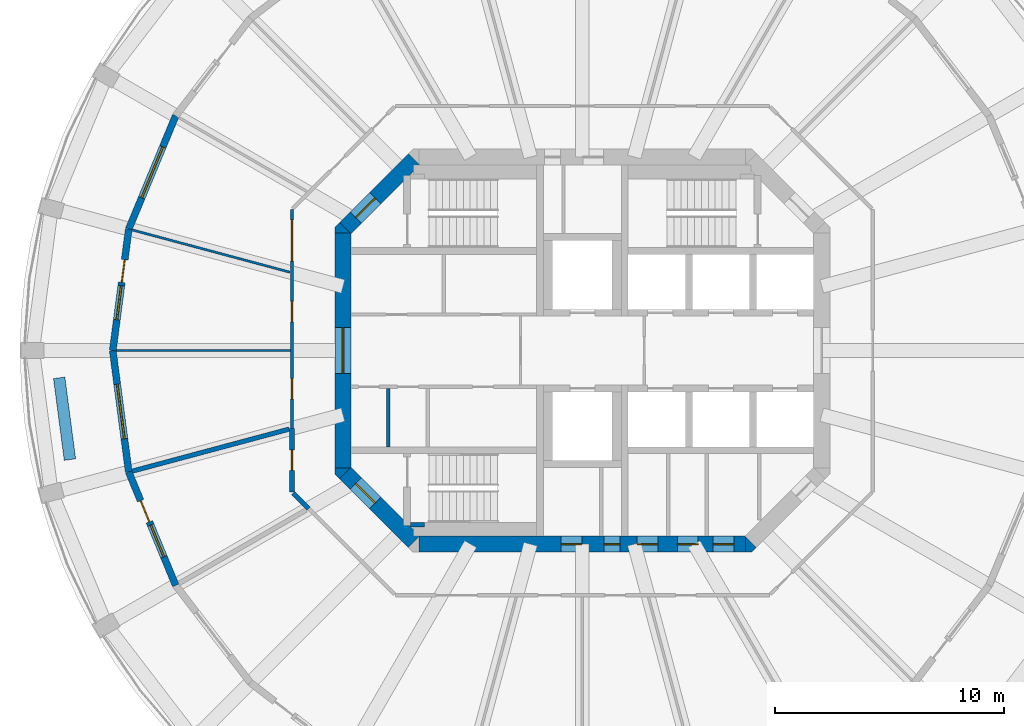
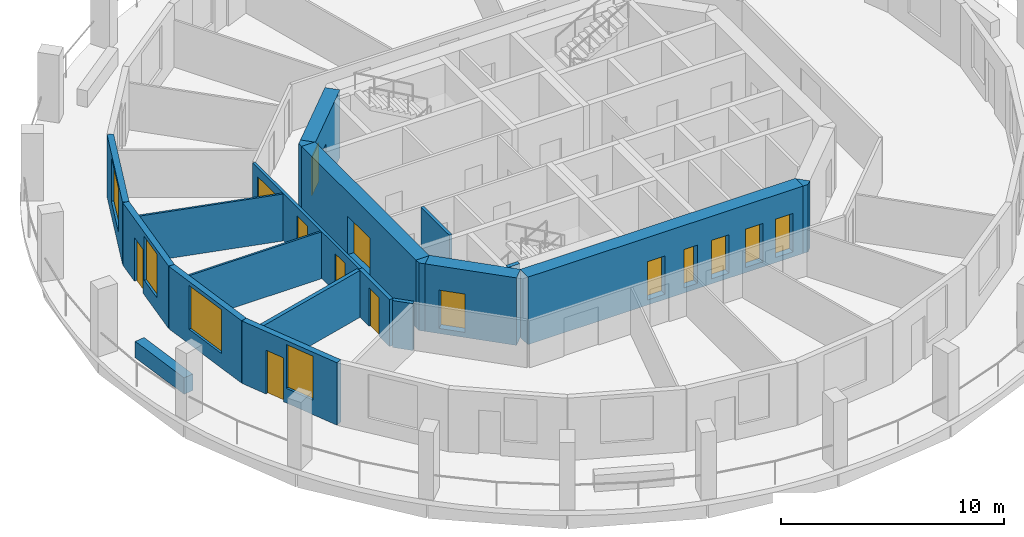
# One storey, part 3 of 9: 20 walls, 14 doors, 4 windows, 18 openings.
"""IFC4 building model written with IfcOpenShell, lengths in metres."""

from ifc_helpers import new_model, si_unit, direction, frame, frame_2d, origin, place, context, subcontext, project, spatial, polyline, rectangle, outline, extrude, material, layer, layer_set, type_object, element, fill, save


model = new_model("IFC4")

# Units and contexts
model_context = context("Model", 3, precision=1e-05, world=origin(), true_north=direction((0.0, 1.0)))
body_context = subcontext(model_context, "Body", "Model", "MODEL_VIEW")
ifc_project = project(units=[si_unit("LENGTHUNIT", "METRE"), si_unit("AREAUNIT", "SQUARE_METRE"), si_unit("VOLUMEUNIT", "CUBIC_METRE"), si_unit("PLANEANGLEUNIT", "RADIAN"), si_unit("MASSUNIT", "GRAM", prefix="KILO")], contexts=[model_context])

# Site, building, storey
site_placement = place(None, origin())
site = spatial("IfcSite", under=ifc_project, at=site_placement, CompositionType="ELEMENT")
building_placement = place(site_placement, origin())
building = spatial("IfcBuilding", under=site, at=building_placement, Name="Torre Triforio", CompositionType="ELEMENT")
storey_placement = place(building_placement, frame((0.0, 0.0, 244.60009765625)))
storey = spatial("IfcBuildingStorey", under=building, at=storey_placement, Name="L56", CompositionType="ELEMENT", Elevation=244.60009765625)

# Wall, openings, doors
ifc_material_1 = material(Name="Concrete C50", Category="concrete")
ifc_layer_1 = layer(ifc_material_1, 0.699951171875)
ifc_layer_set_1 = layer_set([ifc_layer_1], Name="Concrete C50")
wall_type_1 = type_object("IfcWallType", Name="Core wall 700 mm C50 EI 120", PredefinedType="SHEAR", material=ifc_layer_set_1)
wall_1_placement = place(storey_placement, frame((-7.1298828125, -8.449951171875, -0.280029296875), z_axis=(0.0, 0.0, 1.0), x_axis=(1.0, 0.0, 0.0)))
wall_1 = element("IfcWall", 1, at=wall_1_placement, inside=storey, type_object=wall_type_1, Name="Core wall", PredefinedType="SHEAR", context=body_context, shape_type="SweptSolid", body=[
    extrude(rectangle(XDim=14.259765625, YDim=0.699951171875, at=frame_2d((7.1298828125, 0.0))), origin(), (0.0, 0.0, 1.0), 3.699951171875),
])
opening_1_placement = place(wall_1_placement, frame((8.080078125, 0.0, 0.280029296875)))
opening_1 = element("IfcOpeningElement", 2, at=opening_1_placement, cuts=wall_1, Name="Opening RISER-S", PredefinedType="OPENING", context=body_context, shape_type="SweptSolid", body=[
    extrude(rectangle(XDim=0.699951171875, YDim=2.10009765625, at=frame_2d((0.35009765625, 1.050048828125))), frame((0.0, 0.35986328125, 0.0), z_axis=(0.0, -1.0, 0.0), x_axis=(1.0, 0.0, 0.0)), (0.0, 0.0, 1.0), 0.719970703125),
])
opening_2_placement = place(wall_1_placement, frame((6.205078125, 0.0, 0.280029296875)))
opening_2 = element("IfcOpeningElement", 3, at=opening_2_placement, cuts=wall_1, Name="Opening SW-01B", PredefinedType="OPENING", context=body_context, shape_type="SweptSolid", body=[
    extrude(rectangle(XDim=0.89990234375, YDim=2.10009765625, at=frame_2d((0.449951171875, 1.050048828125))), frame((0.0, 0.35986328125, 0.0), z_axis=(0.0, -1.0, 0.0), x_axis=(1.0, 0.0, 0.0)), (0.0, 0.0, 1.0), 0.719970703125),
])
opening_3_placement = place(wall_1_placement, frame((9.521484375, 0.0, 0.280029296875)))
opening_3 = element("IfcOpeningElement", 4, at=opening_3_placement, cuts=wall_1, Name="Opening SE-01", PredefinedType="OPENING", context=body_context, shape_type="SweptSolid", body=[
    extrude(rectangle(XDim=0.89990234375, YDim=2.10009765625, at=frame_2d((0.449951171875, 1.050048828125))), frame((0.0, 0.35986328125, 0.0), z_axis=(0.0, -1.0, 0.0), x_axis=(1.0, 0.0, 0.0)), (0.0, 0.0, 1.0), 0.719970703125),
])
opening_4_placement = place(wall_1_placement, frame((11.278076171875, 0.0, 0.280029296875)))
opening_4 = element("IfcOpeningElement", 5, at=opening_4_placement, cuts=wall_1, Name="Opening SE-02", PredefinedType="OPENING", context=body_context, shape_type="SweptSolid", body=[
    extrude(rectangle(XDim=0.89990234375, YDim=2.10009765625, at=frame_2d((0.449951171875, 1.050048828125))), frame((0.0, 0.35986328125, 0.0), z_axis=(0.0, -1.0, 0.0), x_axis=(1.0, 0.0, 0.0)), (0.0, 0.0, 1.0), 0.719970703125),
])
opening_5_placement = place(wall_1_placement, frame((12.840087890625, 0.0, 0.280029296875)))
opening_5 = element("IfcOpeningElement", 6, at=opening_5_placement, cuts=wall_1, Name="Opening SE-03", PredefinedType="OPENING", context=body_context, shape_type="SweptSolid", body=[
    extrude(rectangle(XDim=0.89990234375, YDim=2.10009765625, at=frame_2d((0.449951171875, 1.050048828125))), frame((0.0, 0.35986328125, 0.0), z_axis=(0.0, -1.0, 0.0), x_axis=(1.0, 0.0, 0.0)), (0.0, 0.0, 1.0), 0.719970703125),
])
ifc_material_2 = material(Name="Hollow metal fire door leaf")
door_type_1 = type_object("IfcDoorType", Name="Plant room door 900 x 2100 EI 60", OperationType="NOTDEFINED", PredefinedType="DOOR", material=ifc_material_2)
door_1_placement = place(opening_3_placement, origin())
door_1 = element("IfcDoor", 7, at=door_1_placement, inside=storey, type_object=door_type_1, Name="Core door SE-01", OperationType="SINGLE_SWING_LEFT", OverallHeight=2.10009765625, OverallWidth=0.89990234375, PredefinedType="DOOR", context=body_context, shape_type="SweptSolid", body=[
    extrude(rectangle(XDim=0.89990234375, YDim=2.10009765625, at=frame_2d((0.449951171875, 1.050048828125))), frame((0.0, 0.02490234375, 0.0), z_axis=(0.0, -1.0, 0.0), x_axis=(1.0, 0.0, 0.0)), (0.0, 0.0, 1.0), 0.050048828125),
])
fill(opening_3, door_1)
door_type_2 = type_object("IfcDoorType", Name="Riser door 700 x 2100 EI 60", OperationType="NOTDEFINED", PredefinedType="DOOR", material=ifc_material_2)
door_2_placement = place(opening_1_placement, origin())
door_2 = element("IfcDoor", 8, at=door_2_placement, inside=storey, type_object=door_type_2, Name="Core door RISER-S", OperationType="SINGLE_SWING_RIGHT", OverallHeight=2.10009765625, OverallWidth=0.699951171875, PredefinedType="DOOR", context=body_context, shape_type="SweptSolid", body=[
    extrude(rectangle(XDim=0.699951171875, YDim=2.10009765625, at=frame_2d((0.35009765625, 1.050048828125))), frame((0.0, 0.02490234375, 0.0), z_axis=(0.0, -1.0, 0.0), x_axis=(1.0, 0.0, 0.0)), (0.0, 0.0, 1.0), 0.050048828125),
])
fill(opening_1, door_2)
door_type_3 = type_object("IfcDoorType", Name="Room door 900 x 2100 EI 60", OperationType="NOTDEFINED", PredefinedType="DOOR", material=ifc_material_2)
door_3_placement = place(opening_2_placement, origin())
door_3 = element("IfcDoor", 9, at=door_3_placement, inside=storey, type_object=door_type_3, Name="Core door SW-01", OperationType="SINGLE_SWING_LEFT", OverallHeight=2.10009765625, OverallWidth=0.89990234375, PredefinedType="DOOR", context=body_context, shape_type="SweptSolid", body=[
    extrude(rectangle(XDim=0.89990234375, YDim=2.10009765625, at=frame_2d((0.449951171875, 1.050048828125))), frame((0.0, 0.02490234375, 0.0), z_axis=(0.0, -1.0, 0.0), x_axis=(1.0, 0.0, 0.0)), (0.0, 0.0, 1.0), 0.050048828125),
])
fill(opening_2, door_3)
door_4_placement = place(opening_4_placement, origin())
door_4 = element("IfcDoor", 10, at=door_4_placement, inside=storey, type_object=door_type_3, Name="Core door SE-02", OperationType="SINGLE_SWING_LEFT", OverallHeight=2.10009765625, OverallWidth=0.89990234375, PredefinedType="DOOR", context=body_context, shape_type="SweptSolid", body=[
    extrude(rectangle(XDim=0.89990234375, YDim=2.10009765625, at=frame_2d((0.449951171875, 1.050048828125))), frame((0.0, 0.02490234375, 0.0), z_axis=(0.0, -1.0, 0.0), x_axis=(1.0, 0.0, 0.0)), (0.0, 0.0, 1.0), 0.050048828125),
])
fill(opening_4, door_4)
door_5_placement = place(opening_5_placement, origin())
door_5 = element("IfcDoor", 11, at=door_5_placement, inside=storey, type_object=door_type_3, Name="Core door SE-03", OperationType="SINGLE_SWING_LEFT", OverallHeight=2.10009765625, OverallWidth=0.89990234375, PredefinedType="DOOR", context=body_context, shape_type="SweptSolid", body=[
    extrude(rectangle(XDim=0.89990234375, YDim=2.10009765625, at=frame_2d((0.449951171875, 1.050048828125))), frame((0.0, 0.02490234375, 0.0), z_axis=(0.0, -1.0, 0.0), x_axis=(1.0, 0.0, 0.0)), (0.0, 0.0, 1.0), 0.050048828125),
])
fill(opening_5, door_5)

# Wall, opening, door
wall_2_placement = place(storey_placement, frame((-10.449951171875, -5.1298828125, -0.280029296875), z_axis=(0.0, 0.0, 1.0), x_axis=(0.0, 1.0, 0.0)))
wall_2 = element("IfcWall", 12, at=wall_2_placement, inside=storey, type_object=wall_type_1, Name="Core wall", PredefinedType="SHEAR", context=body_context, shape_type="SweptSolid", body=[
    extrude(rectangle(XDim=10.259765625, YDim=0.699951171875, at=frame_2d((5.1298828125, 0.0))), origin(), (0.0, 0.0, 1.0), 3.699951171875),
])
opening_6_placement = place(wall_2_placement, frame((4.1298828125, 0.0, 0.280029296875)))
opening_6 = element("IfcOpeningElement", 13, at=opening_6_placement, cuts=wall_2, Name="Opening W-RING", PredefinedType="OPENING", context=body_context, shape_type="SweptSolid", body=[
    extrude(rectangle(XDim=2.0, YDim=2.10009765625, at=frame_2d((1.0, 1.050048828125))), frame((0.0, 0.35986328125, 0.0), z_axis=(0.0, -1.0, 0.0), x_axis=(1.0, 0.0, 0.0)), (0.0, 0.0, 1.0), 0.719970703125),
])
door_type_4 = type_object("IfcDoorType", Name="Lobby door 2000 x 2100 EI 60", OperationType="DOUBLE_DOOR_SINGLE_SWING", PredefinedType="DOOR", material=ifc_material_2)
door_6_placement = place(opening_6_placement, origin())
door_6 = element("IfcDoor", 14, at=door_6_placement, inside=storey, type_object=door_type_4, Name="Core door W-RING", OperationType="DOUBLE_DOOR_SINGLE_SWING", OverallHeight=2.10009765625, OverallWidth=2.0, PredefinedType="DOOR", context=body_context, shape_type="SweptSolid", body=[
    extrude(rectangle(XDim=2.0, YDim=2.10009765625, at=frame_2d((1.0, 1.050048828125))), frame((0.0, 0.02490234375, 0.0), z_axis=(0.0, -1.0, 0.0), x_axis=(1.0, 0.0, 0.0)), (0.0, 0.0, 1.0), 0.050048828125),
])
fill(opening_6, door_6)

wall_3_placement = place(storey_placement, frame((-10.347412109375, 5.347412109375, -0.280029296875), z_axis=(0.0, 0.0, 1.0), x_axis=(0.707106781187, 0.707106781187, 0.0)))
wall_3 = element("IfcWall", 15, at=wall_3_placement, inside=storey, type_object=wall_type_1, Name="Core wall", PredefinedType="SHEAR", context=body_context, shape_type="SweptSolid", body=[
    extrude(rectangle(XDim=4.24267578125, YDim=0.699951171875, at=frame_2d((2.121337890625, 0.0))), origin(), (0.0, 0.0, 1.0), 3.699951171875),
])
opening_7_placement = place(wall_3_placement, frame((0.64990234375, 0.0, 0.280029296875)))
opening_7 = element("IfcOpeningElement", 16, at=opening_7_placement, cuts=wall_3, Name="Opening ST1-EXIT", PredefinedType="OPENING", context=body_context, shape_type="SweptSolid", body=[
    extrude(rectangle(XDim=1.199951171875, YDim=2.10009765625, at=frame_2d((0.60009765625, 1.050048828125))), frame((0.0, 0.35986328125, 0.0), z_axis=(0.0, -1.0, 0.0), x_axis=(1.0, 0.0, 0.0)), (0.0, 0.0, 1.0), 0.719970703125),
])
door_type_5 = type_object("IfcDoorType", Name="Stair lobby door 1200 x 2100 EI 60", OperationType="NOTDEFINED", PredefinedType="DOOR", material=ifc_material_2)
door_7_placement = place(opening_7_placement, origin())
door_7 = element("IfcDoor", 17, at=door_7_placement, inside=storey, type_object=door_type_5, Name="Core door ST1-EXIT", OperationType="SINGLE_SWING_RIGHT", OverallHeight=2.10009765625, OverallWidth=1.199951171875, PredefinedType="DOOR", context=body_context, shape_type="SweptSolid", body=[
    extrude(rectangle(XDim=1.199951171875, YDim=2.10009765625, at=frame_2d((0.60009765625, 1.050048828125))), frame((0.0, 0.02490234375, 0.0), z_axis=(0.0, -1.0, 0.0), x_axis=(1.0, 0.0, 0.0)), (0.0, 0.0, 1.0), 0.050048828125),
])
fill(opening_7, door_7)

wall_4_placement = place(storey_placement, frame((-7.347412109375, -8.347412109375, -0.280029296875), z_axis=(0.0, 0.0, 1.0), x_axis=(-0.707106781187, 0.707106781187, 0.0)))
wall_4 = element("IfcWall", 18, at=wall_4_placement, inside=storey, type_object=wall_type_1, Name="Core wall", PredefinedType="SHEAR", context=body_context, shape_type="SweptSolid", body=[
    extrude(rectangle(XDim=4.24267578125, YDim=0.699951171875, at=frame_2d((2.121337890625, 0.0))), origin(), (0.0, 0.0, 1.0), 3.699951171875),
])
opening_8_placement = place(wall_4_placement, frame((2.392578125, 0.0, 0.280029296875)))
opening_8 = element("IfcOpeningElement", 19, at=opening_8_placement, cuts=wall_4, Name="Opening ST3-EXIT", PredefinedType="OPENING", context=body_context, shape_type="SweptSolid", body=[
    extrude(rectangle(XDim=1.199951171875, YDim=2.10009765625, at=frame_2d((0.60009765625, 1.050048828125))), frame((0.0, 0.35986328125, 0.0), z_axis=(0.0, -1.0, 0.0), x_axis=(1.0, 0.0, 0.0)), (0.0, 0.0, 1.0), 0.719970703125),
])
door_8_placement = place(opening_8_placement, origin())
door_8 = element("IfcDoor", 20, at=door_8_placement, inside=storey, type_object=door_type_5, Name="Core door ST3-EXIT", OperationType="SINGLE_SWING_RIGHT", OverallHeight=2.10009765625, OverallWidth=1.199951171875, PredefinedType="DOOR", context=body_context, shape_type="SweptSolid", body=[
    extrude(rectangle(XDim=1.199951171875, YDim=2.10009765625, at=frame_2d((0.60009765625, 1.050048828125))), frame((0.0, 0.02490234375, 0.0), z_axis=(0.0, -1.0, 0.0), x_axis=(1.0, 0.0, 0.0)), (0.0, 0.0, 1.0), 0.050048828125),
])
fill(opening_8, door_8)

# Walls
wall_5_placement = place(storey_placement, frame((0.0, 0.0, -0.280029296875)))
element("IfcWall", 21, at=wall_5_placement, inside=storey, type_object=wall_type_1, Name="Core wall", PredefinedType="SHEAR", context=body_context, shape_type="SweptSolid", body=[
    extrude(outline(polyline([(7.389892578125, -8.800048828125), (7.1298828125, -8.800048828125), (7.1298828125, -8.800048828125), (7.1298828125, -8.1298828125), (7.594970703125, -8.594970703125), (7.594970703125, -8.594970703125), (7.594970703125, -8.594970703125), (7.389892578125, -8.800048828125)])), origin(), (0.0, 0.0, 1.0), 3.699951171875),
])
wall_6_placement = place(storey_placement, frame((0.0, 0.0, -0.280029296875)))
element("IfcWall", 22, at=wall_6_placement, inside=storey, type_object=wall_type_1, Name="Core wall", PredefinedType="SHEAR", context=body_context, shape_type="SweptSolid", body=[
    extrude(outline(polyline([(-10.800048828125, -5.389892578125), (-10.800048828125, -5.1298828125), (-10.800048828125, -5.1298828125), (-10.1298828125, -5.1298828125), (-10.594970703125, -5.594970703125), (-10.594970703125, -5.594970703125), (-10.594970703125, -5.594970703125), (-10.800048828125, -5.389892578125)])), origin(), (0.0, 0.0, 1.0), 3.699951171875),
])
wall_7_placement = place(storey_placement, frame((0.0, 0.0, -0.280029296875)))
element("IfcWall", 23, at=wall_7_placement, inside=storey, type_object=wall_type_1, Name="Core wall", PredefinedType="SHEAR", context=body_context, shape_type="SweptSolid", body=[
    extrude(outline(polyline([(-10.594970703125, 5.594970703125), (-10.594970703125, 5.594970703125), (-10.594970703125, 5.594970703125), (-10.1298828125, 5.1298828125), (-10.800048828125, 5.1298828125), (-10.800048828125, 5.1298828125), (-10.800048828125, 5.389892578125), (-10.594970703125, 5.594970703125)])), origin(), (0.0, 0.0, 1.0), 3.699951171875),
])

# Wall, openings, doors
ifc_material_3 = material(Name="Plasterboard on metal studs")
ifc_layer_2 = layer(ifc_material_3, 0.14990234375)
ifc_layer_set_2 = layer_set([ifc_layer_2], Name="Plasterboard on metal studs")
wall_type_2 = type_object("IfcWallType", Name="Corridor and tenancy wall 150 mm EI 60", PredefinedType="PARTITIONING", material=ifc_layer_set_2)
wall_8_placement = place(storey_placement, frame((-12.675048828125, -3.396240234375, 0.0), z_axis=(0.0, 0.0, 1.0), x_axis=(0.0, 1.0, 0.0)))
wall_8 = element("IfcWall", 24, at=wall_8_placement, inside=storey, type_object=wall_type_2, Name="Partition 6", PredefinedType="PARTITIONING", context=body_context, shape_type="SweptSolid", body=[
    extrude(rectangle(XDim=9.562744140625, YDim=0.14990234375, at=frame_2d((4.78125, 0.0))), origin(), (0.0, 0.0, 1.0), 2.56982421875),
])
opening_9_placement = place(wall_8_placement, frame((7.302734375, 0.0, 0.0)))
opening_9 = element("IfcOpeningElement", 25, at=opening_9_placement, cuts=wall_8, Name="Opening O8-13", PredefinedType="OPENING", context=body_context, shape_type="SweptSolid", body=[
    extrude(rectangle(XDim=1.800048828125, YDim=2.10009765625, at=frame_2d((0.89990234375, 1.050048828125))), frame((0.0, 0.0849609375, 0.0), z_axis=(0.0, -1.0, 0.0), x_axis=(1.0, 0.0, 0.0)), (0.0, 0.0, 1.0), 0.169921875),
])
opening_10_placement = place(wall_8_placement, frame((4.645263671875, 0.0, 0.0)))
opening_10 = element("IfcOpeningElement", 26, at=opening_10_placement, cuts=wall_8, Name="Opening O8-14", PredefinedType="OPENING", context=body_context, shape_type="SweptSolid", body=[
    extrude(rectangle(XDim=0.89990234375, YDim=2.10009765625, at=frame_2d((0.449951171875, 1.050048828125))), frame((0.0, 0.0849609375, 0.0), z_axis=(0.0, -1.0, 0.0), x_axis=(1.0, 0.0, 0.0)), (0.0, 0.0, 1.0), 0.169921875),
])
opening_11_placement = place(wall_8_placement, frame((1.273193359375, 0.0, 0.0)))
opening_11 = element("IfcOpeningElement", 27, at=opening_11_placement, cuts=wall_8, Name="Opening O8-15", PredefinedType="OPENING", context=body_context, shape_type="SweptSolid", body=[
    extrude(rectangle(XDim=0.89990234375, YDim=2.10009765625, at=frame_2d((0.449951171875, 1.050048828125))), frame((0.0, 0.0849609375, 0.0), z_axis=(0.0, -1.0, 0.0), x_axis=(1.0, 0.0, 0.0)), (0.0, 0.0, 1.0), 0.169921875),
])
ifc_material_4 = material(Name="Timber", Category="wood")
door_type_6 = type_object("IfcDoorType", Name="Door 1800 x 2100 double leaf EI 30", OperationType="DOUBLE_DOOR_SINGLE_SWING", PredefinedType="DOOR", material=ifc_material_4)
door_9_placement = place(opening_9_placement, origin())
door_9 = element("IfcDoor", 28, at=door_9_placement, inside=storey, type_object=door_type_6, Name="Door O8-13", OperationType="DOUBLE_DOOR_SINGLE_SWING", OverallHeight=2.10009765625, OverallWidth=1.800048828125, PredefinedType="DOOR", context=body_context, shape_type="SweptSolid", body=[
    extrude(rectangle(XDim=1.800048828125, YDim=2.10009765625, at=frame_2d((0.89990234375, 1.050048828125))), frame((0.0, 0.02490234375, 0.0), z_axis=(0.0, -1.0, 0.0), x_axis=(1.0, 0.0, 0.0)), (0.0, 0.0, 1.0), 0.050048828125),
])
fill(opening_9, door_9)
door_type_7 = type_object("IfcDoorType", Name="Door 900 x 2100 single leaf EI 30", OperationType="NOTDEFINED", PredefinedType="DOOR", material=ifc_material_4)
door_10_placement = place(opening_10_placement, origin())
door_10 = element("IfcDoor", 29, at=door_10_placement, inside=storey, type_object=door_type_7, Name="Door O8-14", OperationType="SINGLE_SWING_LEFT", OverallHeight=2.10009765625, OverallWidth=0.89990234375, PredefinedType="DOOR", context=body_context, shape_type="SweptSolid", body=[
    extrude(rectangle(XDim=0.89990234375, YDim=2.10009765625, at=frame_2d((0.449951171875, 1.050048828125))), frame((0.0, 0.02490234375, 0.0), z_axis=(0.0, -1.0, 0.0), x_axis=(1.0, 0.0, 0.0)), (0.0, 0.0, 1.0), 0.050048828125),
])
fill(opening_10, door_10)
door_11_placement = place(opening_11_placement, origin())
door_11 = element("IfcDoor", 30, at=door_11_placement, inside=storey, type_object=door_type_7, Name="Door O8-15", OperationType="SINGLE_SWING_LEFT", OverallHeight=2.10009765625, OverallWidth=0.89990234375, PredefinedType="DOOR", context=body_context, shape_type="SweptSolid", body=[
    extrude(rectangle(XDim=0.89990234375, YDim=2.10009765625, at=frame_2d((0.449951171875, 1.050048828125))), frame((0.0, 0.02490234375, 0.0), z_axis=(0.0, -1.0, 0.0), x_axis=(1.0, 0.0, 0.0)), (0.0, 0.0, 1.0), 0.050048828125),
])
fill(opening_11, door_11)

# Walls
ifc_layer_3 = layer(ifc_material_3, 0.10009765625)
ifc_layer_set_3 = layer_set([ifc_layer_3], Name="Plasterboard on metal studs")
wall_type_3 = type_object("IfcWallType", Name="Partition 100 mm board on metal studs", PredefinedType="PARTITIONING", material=ifc_layer_set_3)
wall_9_placement = place(storey_placement, frame((-12.764404296875, 3.420166015625, 0.0), z_axis=(0.0, 0.0, 1.0), x_axis=(-0.965928160208, 0.258810334643, 0.0)))
element("IfcWall", 31, at=wall_9_placement, inside=storey, type_object=wall_type_3, Name="Partition 18", PredefinedType="PARTITIONING", context=body_context, shape_type="SweptSolid", body=[
    extrude(rectangle(XDim=7.1220703125, YDim=0.10009765625, at=frame_2d((3.56103515625, 0.0))), origin(), (0.0, 0.0, 1.0), 2.56982421875),
])
wall_10_placement = place(storey_placement, frame((-12.75, 0.0, 0.0), z_axis=(0.0, 0.0, 1.0), x_axis=(-1.0, 0.0, 0.0)))
element("IfcWall", 32, at=wall_10_placement, inside=storey, type_object=wall_type_3, Name="Partition 19", PredefinedType="PARTITIONING", context=body_context, shape_type="SweptSolid", body=[
    extrude(rectangle(XDim=7.586669921875, YDim=0.10009765625, at=frame_2d((3.79345703125, 0.0))), origin(), (0.0, 0.0, 1.0), 2.56982421875),
])
ifc_material_5 = material(Name="Block and board partition")
ifc_layer_4 = layer(ifc_material_5, 0.14990234375)
ifc_layer_set_4 = layer_set([ifc_layer_4], Name="Block and board partition")
wall_type_4 = type_object("IfcWallType", Name="Partition 150 mm", PredefinedType="PARTITIONING", material=ifc_layer_set_4)
wall_11_placement = place(storey_placement, frame((-8.465087890625, -4.199951171875, 0.0), z_axis=(0.0, 0.0, 1.0), x_axis=(0.0, 1.0, 0.0)))
element("IfcWall", 33, at=wall_11_placement, inside=storey, type_object=wall_type_4, Name="Partition", PredefinedType="PARTITIONING", context=body_context, shape_type="SweptSolid", body=[
    extrude(rectangle(XDim=2.550048828125, YDim=0.14990234375, at=frame_2d((1.27490234375, 0.0))), origin(), (0.0, 0.0, 1.0), 3.419921875),
])
ifc_material_6 = material(Name="Masonry block", Category="masonry")
ifc_layer_5 = layer(ifc_material_6, 0.199951171875)
ifc_layer_set_5 = layer_set([ifc_layer_5], Name="Masonry block")
wall_type_5 = type_object("IfcWallType", Name="Plant room wall 200 mm block EI 120", PredefinedType="PARTITIONING", material=ifc_layer_set_5)
wall_12_placement = place(storey_placement, frame((-11.945068359375, -6.896484375, 0.0), z_axis=(0.0, 0.0, 1.0), x_axis=(-0.707106781187, 0.707106781187, 0.0)))
element("IfcWall", 34, at=wall_12_placement, inside=storey, type_object=wall_type_5, Name="Partition 4", PredefinedType="PARTITIONING", context=body_context, shape_type="SweptSolid", body=[
    extrude(rectangle(XDim=0.962158203125, YDim=0.199951171875, at=frame_2d((0.48095703125, 0.0))), origin(), (0.0, 0.0, 1.0), 2.56982421875),
])

# Wall, opening, door
wall_13_placement = place(storey_placement, frame((-12.675048828125, -6.16650390625, 0.0), z_axis=(0.0, 0.0, 1.0), x_axis=(0.0, 1.0, 0.0)))
wall_13 = element("IfcWall", 35, at=wall_13_placement, inside=storey, type_object=wall_type_5, Name="Partition 5", PredefinedType="PARTITIONING", context=body_context, shape_type="SweptSolid", body=[
    extrude(rectangle(XDim=2.770263671875, YDim=0.199951171875, at=frame_2d((1.38525390625, 0.0))), origin(), (0.0, 0.0, 1.0), 2.56982421875),
])
opening_12_placement = place(wall_13_placement, frame((0.935302734375, 0.0, 0.0)))
opening_12 = element("IfcOpeningElement", 36, at=opening_12_placement, cuts=wall_13, Name="Opening O8-16", PredefinedType="OPENING", context=body_context, shape_type="SweptSolid", body=[
    extrude(rectangle(XDim=0.89990234375, YDim=2.10009765625, at=frame_2d((0.449951171875, 1.050048828125))), frame((0.0, 0.10986328125, 0.0), z_axis=(0.0, -1.0, 0.0), x_axis=(1.0, 0.0, 0.0)), (0.0, 0.0, 1.0), 0.219970703125),
])
door_type_8 = type_object("IfcDoorType", Name="Door 900 x 2100 single leaf EI 60", OperationType="NOTDEFINED", PredefinedType="DOOR", material=ifc_material_2)
door_12_placement = place(opening_12_placement, origin())
door_12 = element("IfcDoor", 37, at=door_12_placement, inside=storey, type_object=door_type_8, Name="Door O8-16", OperationType="SINGLE_SWING_LEFT", OverallHeight=2.10009765625, OverallWidth=0.89990234375, PredefinedType="DOOR", context=body_context, shape_type="SweptSolid", body=[
    extrude(rectangle(XDim=0.89990234375, YDim=2.10009765625, at=frame_2d((0.449951171875, 1.050048828125))), frame((0.0, 0.02490234375, 0.0), z_axis=(0.0, -1.0, 0.0), x_axis=(1.0, 0.0, 0.0)), (0.0, 0.0, 1.0), 0.050048828125),
])
fill(opening_12, door_12)

# Walls
wall_14_placement = place(storey_placement, frame((-12.800537109375, -3.429931640625, 0.0), z_axis=(0.0, 0.0, 1.0), x_axis=(-0.965931131848, -0.258799243674, 0.0)))
element("IfcWall", 38, at=wall_14_placement, inside=storey, type_object=wall_type_5, Name="Partition 20", PredefinedType="PARTITIONING", context=body_context, shape_type="SweptSolid", body=[
    extrude(rectangle(XDim=7.084716796875, YDim=0.199951171875, at=frame_2d((3.54248046875, 0.0))), origin(), (0.0, 0.0, 1.0), 2.56982421875),
])
ifc_material_7 = material(Name="Limestone cladding", Category="masonry")
ifc_layer_6 = layer(ifc_material_7, 0.10009765625)
ifc_material_8 = material(Name="Concrete C40", Category="concrete")
ifc_layer_7 = layer(ifc_material_8, 0.39990234375)
ifc_layer_set_6 = layer_set([ifc_layer_6, ifc_layer_7], Name="Limestone cladding / Concrete C40")
wall_type_6 = type_object("IfcWallType", Name="Planter wall 500", PredefinedType="PARAPET", material=ifc_layer_set_6)
wall_15_placement = place(storey_placement, frame((-22.83984375, -1.19140625, 0.0), z_axis=(0.0, 0.0, 1.0), x_axis=(0.130484336385, -0.9914503709, 0.0)))
element("IfcWall", 39, at=wall_15_placement, inside=storey, type_object=wall_type_6, Name="Planter L56 bay 13", PredefinedType="PARAPET", context=body_context, shape_type="SweptSolid", body=[
    extrude(rectangle(XDim=3.599853515625, YDim=0.5, at=frame_2d((1.7998046875, 0.0))), origin(), (0.0, 0.0, 1.0), 0.89990234375),
])
ifc_layer_8 = layer(ifc_material_1, 0.199951171875)
ifc_layer_set_7 = layer_set([ifc_layer_8], Name="Concrete C50")
wall_type_7 = type_object("IfcWallType", Name="Stair wall 200 mm C50 EI 120", PredefinedType="SHEAR", material=ifc_layer_set_7)
wall_16_placement = place(storey_placement, frame((-7.5, -7.60009765625, 0.0), z_axis=(0.0, 0.0, 1.0), x_axis=(1.0, 0.0, 0.0)))
element("IfcWall", 40, at=wall_16_placement, inside=storey, type_object=wall_type_7, Name="Stair wall", PredefinedType="SHEAR", context=body_context, shape_type="SweptSolid", body=[
    extrude(rectangle(XDim=0.60009765625, YDim=0.199951171875, at=frame_2d((0.300048828125, 0.0))), origin(), (0.0, 0.0, 1.0), 3.419921875),
])

# Wall, opening, window
ifc_layer_9 = layer(ifc_material_7, 0.10009765625)
ifc_layer_10 = layer(ifc_material_8, 0.199951171875)
ifc_layer_set_8 = layer_set([ifc_layer_9, ifc_layer_10], Name="Limestone cladding / Concrete C40")
wall_type_8 = type_object("IfcWallType", Name="Stone-faced composite wall 300", PredefinedType="STANDARD", material=ifc_layer_set_8)
wall_17_placement = place(storey_placement, frame((-17.75341796875, 10.25, 0.0), z_axis=(0.0, 0.0, 1.0), x_axis=(-0.382713071139, -0.923867255172, 0.0)))
wall_17 = element("IfcWall", 41, at=wall_17_placement, inside=storey, type_object=wall_type_8, Name="External wall L56 bay 11", PredefinedType="STANDARD", context=body_context, shape_type="SweptSolid", body=[
    extrude(rectangle(XDim=5.3515625, YDim=0.300048828125, at=frame_2d((2.67578125, 0.0))), origin(), (0.0, 0.0, 1.0), 3.419921875),
])
opening_13_placement = place(wall_17_placement, frame((1.475830078125, 0.0, 0.800048828125)))
opening_13 = element("IfcOpeningElement", 42, at=opening_13_placement, cuts=wall_17, Name="Opening O8-W11", PredefinedType="OPENING", context=body_context, shape_type="SweptSolid", body=[
    extrude(rectangle(XDim=2.39990234375, YDim=2.39990234375, at=frame_2d((1.199951171875, 1.199951171875))), frame((0.0, 0.159912109375, 0.0), z_axis=(0.0, -1.0, 0.0), x_axis=(1.0, 0.0, 0.0)), (0.0, 0.0, 1.0), 0.320068359375),
])
ifc_material_9 = material(Name="Aluminium frame with clear double glazing", Category="aluminium")
window_type_1 = type_object("IfcWindowType", Name="Punched window 2400 x 2400", PartitioningType="DOUBLE_PANEL_VERTICAL", PredefinedType="WINDOW", material=ifc_material_9)
window_1_placement = place(opening_13_placement, origin())
window_1 = element("IfcWindow", 43, at=window_1_placement, inside=storey, type_object=window_type_1, Name="Window EWN4 L56 bay 11", OverallHeight=2.39990234375, OverallWidth=2.39990234375, PartitioningType="SINGLE_PANEL", PredefinedType="WINDOW", context=body_context, shape_type="SweptSolid", body=[
    extrude(rectangle(XDim=2.39990234375, YDim=2.39990234375, at=frame_2d((1.199951171875, 1.199951171875))), frame((0.0, 0.030029296875, 0.0), z_axis=(0.0, -1.0, 0.0), x_axis=(1.0, 0.0, 0.0)), (0.0, 0.0, 1.0), 0.06005859375),
])
fill(opening_13, window_1)

# Wall, openings, door, window
wall_18_placement = place(storey_placement, frame((-19.801513671875, 5.305908203125, 0.0), z_axis=(0.0, 0.0, 1.0), x_axis=(-0.130517056518, -0.991446064069, 0.0)))
wall_18 = element("IfcWall", 44, at=wall_18_placement, inside=storey, type_object=wall_type_8, Name="External wall L56 bay 12", PredefinedType="STANDARD", context=body_context, shape_type="SweptSolid", body=[
    extrude(rectangle(XDim=5.351806640625, YDim=0.300048828125, at=frame_2d((2.67578125, 0.0))), origin(), (0.0, 0.0, 1.0), 3.419921875),
])
opening_14_placement = place(wall_18_placement, frame((1.350830078125, 0.0, 0.0)))
opening_14 = element("IfcOpeningElement", 45, at=opening_14_placement, cuts=wall_18, Name="Opening O8-D12", PredefinedType="OPENING", context=body_context, shape_type="SweptSolid", body=[
    extrude(rectangle(XDim=1.0, YDim=2.39990234375, at=frame_2d((0.5, 1.199951171875))), frame((0.0, 0.159912109375, 0.0), z_axis=(0.0, -1.0, 0.0), x_axis=(1.0, 0.0, 0.0)), (0.0, 0.0, 1.0), 0.320068359375),
])
opening_15_placement = place(wall_18_placement, frame((2.500732421875, 0.0, 0.800048828125)))
opening_15 = element("IfcOpeningElement", 46, at=opening_15_placement, cuts=wall_18, Name="Opening O8-W12A", PredefinedType="OPENING", context=body_context, shape_type="SweptSolid", body=[
    extrude(rectangle(XDim=1.5, YDim=2.39990234375, at=frame_2d((0.75, 1.199951171875))), frame((0.0, 0.159912109375, 0.0), z_axis=(0.0, -1.0, 0.0), x_axis=(1.0, 0.0, 0.0)), (0.0, 0.0, 1.0), 0.320068359375),
])
door_type_9 = type_object("IfcDoorType", Name="Loggia door 1000 x 2400", OperationType="NOTDEFINED", PredefinedType="DOOR", material=ifc_material_9)
door_13_placement = place(opening_14_placement, origin())
door_13 = element("IfcDoor", 47, at=door_13_placement, inside=storey, type_object=door_type_9, Name="Loggia door L56 bay 12", OperationType="SINGLE_SWING_LEFT", OverallHeight=2.39990234375, OverallWidth=1.0, PredefinedType="DOOR", context=body_context, shape_type="SweptSolid", body=[
    extrude(rectangle(XDim=1.0, YDim=2.39990234375, at=frame_2d((0.5, 1.199951171875))), frame((0.0, 0.02490234375, 0.0), z_axis=(0.0, -1.0, 0.0), x_axis=(1.0, 0.0, 0.0)), (0.0, 0.0, 1.0), 0.050048828125),
])
fill(opening_14, door_13)
window_type_2 = type_object("IfcWindowType", Name="Side window 1500 x 2400", PartitioningType="SINGLE_PANEL", PredefinedType="WINDOW", material=ifc_material_9)
window_2_placement = place(opening_15_placement, origin())
window_2 = element("IfcWindow", 48, at=window_2_placement, inside=storey, type_object=window_type_2, Name="Side window EWN14 L56 bay 12", OverallHeight=2.39990234375, OverallWidth=1.5, PartitioningType="SINGLE_PANEL", PredefinedType="WINDOW", context=body_context, shape_type="SweptSolid", body=[
    extrude(rectangle(XDim=1.5, YDim=2.39990234375, at=frame_2d((0.75, 1.199951171875))), frame((0.0, 0.030029296875, 0.0), z_axis=(0.0, -1.0, 0.0), x_axis=(1.0, 0.0, 0.0)), (0.0, 0.0, 1.0), 0.06005859375),
])
fill(opening_15, window_2)

# Wall, opening, window
wall_19_placement = place(storey_placement, frame((-20.5, 0.0, 0.0), z_axis=(0.0, 0.0, 1.0), x_axis=(0.130517056518, -0.991446064069, 0.0)))
wall_19 = element("IfcWall", 49, at=wall_19_placement, inside=storey, type_object=wall_type_8, Name="External wall L56 bay 13", PredefinedType="STANDARD", context=body_context, shape_type="SweptSolid", body=[
    extrude(rectangle(XDim=5.351806640625, YDim=0.300048828125, at=frame_2d((2.67578125, 0.0))), origin(), (0.0, 0.0, 1.0), 3.419921875),
])
opening_16_placement = place(wall_19_placement, frame((1.475830078125, 0.0, 0.800048828125)))
opening_16 = element("IfcOpeningElement", 50, at=opening_16_placement, cuts=wall_19, Name="Opening O8-W13", PredefinedType="OPENING", context=body_context, shape_type="SweptSolid", body=[
    extrude(rectangle(XDim=2.39990234375, YDim=2.39990234375, at=frame_2d((1.199951171875, 1.199951171875))), frame((0.0, 0.159912109375, 0.0), z_axis=(0.0, -1.0, 0.0), x_axis=(1.0, 0.0, 0.0)), (0.0, 0.0, 1.0), 0.320068359375),
])
window_3_placement = place(opening_16_placement, origin())
window_3 = element("IfcWindow", 51, at=window_3_placement, inside=storey, type_object=window_type_1, Name="Window EWN4 L56 bay 13", OverallHeight=2.39990234375, OverallWidth=2.39990234375, PartitioningType="SINGLE_PANEL", PredefinedType="WINDOW", context=body_context, shape_type="SweptSolid", body=[
    extrude(rectangle(XDim=2.39990234375, YDim=2.39990234375, at=frame_2d((1.199951171875, 1.199951171875))), frame((0.0, 0.030029296875, 0.0), z_axis=(0.0, -1.0, 0.0), x_axis=(1.0, 0.0, 0.0)), (0.0, 0.0, 1.0), 0.06005859375),
])
fill(opening_16, window_3)

# Wall, openings, door, window
wall_20_placement = place(storey_placement, frame((-19.801513671875, -5.305908203125, 0.0), z_axis=(0.0, 0.0, 1.0), x_axis=(0.382713071139, -0.923867255172, 0.0)))
wall_20 = element("IfcWall", 52, at=wall_20_placement, inside=storey, type_object=wall_type_8, Name="External wall L56 bay 14", PredefinedType="STANDARD", context=body_context, shape_type="SweptSolid", body=[
    extrude(rectangle(XDim=5.3515625, YDim=0.300048828125, at=frame_2d((2.67578125, 0.0))), origin(), (0.0, 0.0, 1.0), 3.419921875),
])
opening_17_placement = place(wall_20_placement, frame((1.350830078125, 0.0, 0.0)))
opening_17 = element("IfcOpeningElement", 53, at=opening_17_placement, cuts=wall_20, Name="Opening O8-D14", PredefinedType="OPENING", context=body_context, shape_type="SweptSolid", body=[
    extrude(rectangle(XDim=1.0, YDim=2.39990234375, at=frame_2d((0.5, 1.199951171875))), frame((0.0, 0.159912109375, 0.0), z_axis=(0.0, -1.0, 0.0), x_axis=(1.0, 0.0, 0.0)), (0.0, 0.0, 1.0), 0.320068359375),
])
opening_18_placement = place(wall_20_placement, frame((2.500732421875, 0.0, 0.800048828125)))
opening_18 = element("IfcOpeningElement", 54, at=opening_18_placement, cuts=wall_20, Name="Opening O8-W14A", PredefinedType="OPENING", context=body_context, shape_type="SweptSolid", body=[
    extrude(rectangle(XDim=1.5, YDim=2.39990234375, at=frame_2d((0.75, 1.199951171875))), frame((0.0, 0.159912109375, 0.0), z_axis=(0.0, -1.0, 0.0), x_axis=(1.0, 0.0, 0.0)), (0.0, 0.0, 1.0), 0.320068359375),
])
door_14_placement = place(opening_17_placement, origin())
door_14 = element("IfcDoor", 55, at=door_14_placement, inside=storey, type_object=door_type_9, Name="Loggia door L56 bay 14", OperationType="SINGLE_SWING_LEFT", OverallHeight=2.39990234375, OverallWidth=1.0, PredefinedType="DOOR", context=body_context, shape_type="SweptSolid", body=[
    extrude(rectangle(XDim=1.0, YDim=2.39990234375, at=frame_2d((0.5, 1.199951171875))), frame((0.0, 0.02490234375, 0.0), z_axis=(0.0, -1.0, 0.0), x_axis=(1.0, 0.0, 0.0)), (0.0, 0.0, 1.0), 0.050048828125),
])
fill(opening_17, door_14)
window_4_placement = place(opening_18_placement, origin())
window_4 = element("IfcWindow", 56, at=window_4_placement, inside=storey, type_object=window_type_2, Name="Side window EWN14 L56 bay 14", OverallHeight=2.39990234375, OverallWidth=1.5, PartitioningType="SINGLE_PANEL", PredefinedType="WINDOW", context=body_context, shape_type="SweptSolid", body=[
    extrude(rectangle(XDim=1.5, YDim=2.39990234375, at=frame_2d((0.75, 1.199951171875))), frame((0.0, 0.030029296875, 0.0), z_axis=(0.0, -1.0, 0.0), x_axis=(1.0, 0.0, 0.0)), (0.0, 0.0, 1.0), 0.06005859375),
])
fill(opening_18, window_4)

save(model, "model.ifc")
